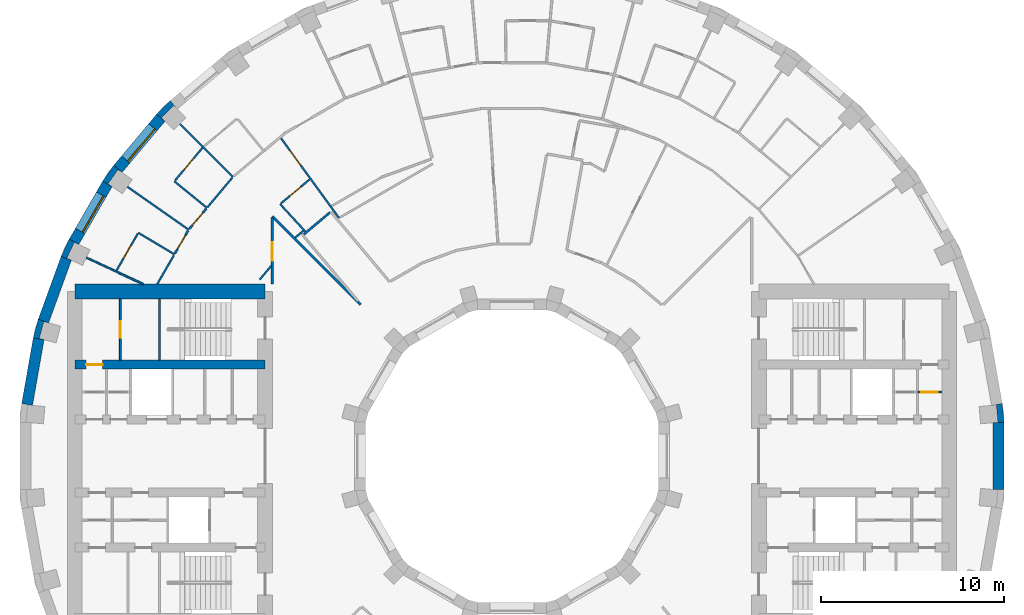
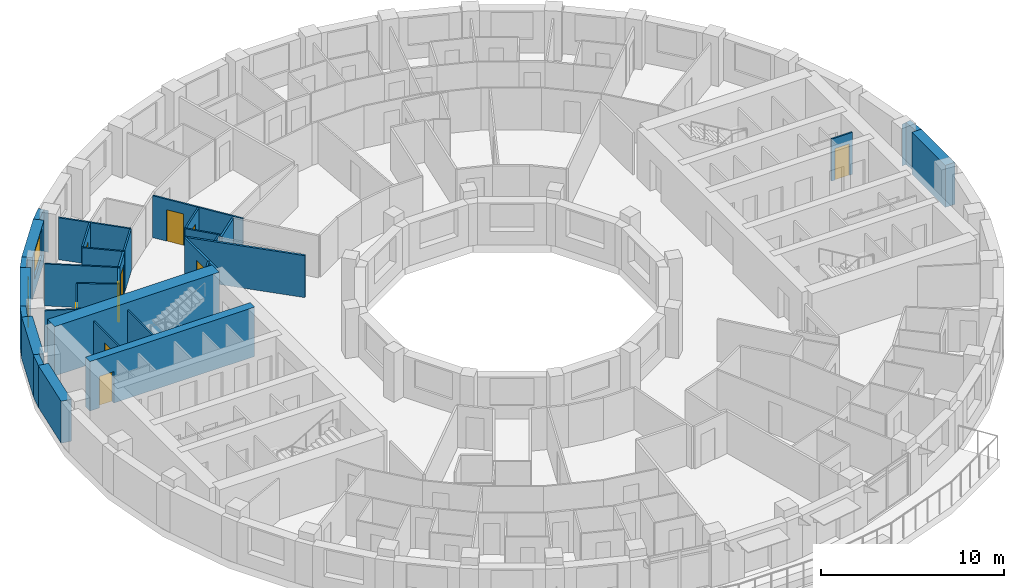
# One storey, part 11 of 16: 34 walls, 10 doors, 2 windows, 12 openings.
"""IFC4 building model written with IfcOpenShell, lengths in metres."""

import ifcopenshell
import ifcopenshell.guid

model = None  # the IFC model being written
_history = None  # IfcOwnerHistory: only IFC2X3 demands one
_inside = {}  # id of a spatial element -> (the spatial element, [elements in it])
_under = {}  # id of a project, library or spatial element -> (it, [spatial elements below it])
_declared = {}  # id of a project -> (the project, [libraries it declares])
_typed = {}  # id of a type object -> (the type object, [elements of that type])
_made_of = {}  # id of a material, layer set ... -> (it, [elements and type objects made of it])


def new_model(schema):
    """Start an empty IFC model of exactly this schema.

    Asked for "IFC4X3", IfcOpenShell would pick the latest addendum, in which some entities
    have other attributes; the version numbers below select the first issue.
    IFC2X3 requires an IfcOwnerHistory on every rooted entity: one is made here for all.
    """
    global model, _history
    if schema == "IFC4X3":
        model = ifcopenshell.file(schema_version=(4, 3, 0, 0))
    else:
        model = ifcopenshell.file(schema=schema)
    _inside.clear()
    _under.clear()
    _declared.clear()
    _typed.clear()
    _made_of.clear()
    _history = None
    if model.schema == "IFC2X3":
        org = make("IfcOrganization", Name="unknown")
        user = make(
            "IfcPersonAndOrganization",
            ThePerson=make("IfcPerson", FamilyName="unknown"),
            TheOrganization=org,
        )
        app = make(
            "IfcApplication",
            ApplicationDeveloper=org,
            Version="unknown",
            ApplicationFullName="unknown",
            ApplicationIdentifier="unknown",
        )
        _history = make(
            "IfcOwnerHistory",
            OwningUser=user,
            OwningApplication=app,
            ChangeAction="ADDED",
            CreationDate=0,
        )
    return model


def make(cls, **values):
    """One entity of the class cls with the attributes given. An attribute that is None is left unset."""
    return model.create_entity(
        cls, **{name: value for name, value in values.items() if value is not None}
    )


def rooted(cls, **values):
    """An entity with a GlobalId (a new one), such as an element, a storey or a relation."""
    return make(cls, GlobalId=ifcopenshell.guid.new(), OwnerHistory=_history, **values)


def si_unit(unit_type, name, prefix=None):
    """IfcSIUnit, for example si_unit("LENGTHUNIT", "METRE", prefix="MILLI")."""
    return make("IfcSIUnit", UnitType=unit_type, Prefix=prefix, Name=name)


def assignment(units):
    """IfcUnitAssignment: the units of a project."""
    return None if units is None else make("IfcUnitAssignment", Units=units)


def point(xyz):
    """IfcCartesianPoint."""
    return None if xyz is None else make("IfcCartesianPoint", Coordinates=xyz)


def direction(xyz):
    """IfcDirection."""
    return None if xyz is None else make("IfcDirection", DirectionRatios=xyz)


def frame(location, z_axis=None, x_axis=None):
    """IfcAxis2Placement3D, a coordinate frame: its origin and axes. An axis left out is left unset."""
    return make(
        "IfcAxis2Placement3D",
        Location=point(location),
        Axis=direction(z_axis),
        RefDirection=direction(x_axis),
    )


def frame_2d(location, x_axis=None):
    """IfcAxis2Placement2D, a coordinate frame in the plane: its origin and x axis."""
    return make(
        "IfcAxis2Placement2D", Location=point(location), RefDirection=direction(x_axis)
    )


def origin():
    """The frame at (0, 0, 0) with its axes left unset."""
    return frame((0.0, 0.0, 0.0))


def place(relative_to, where):
    """IfcLocalPlacement: puts the frame where relative to a parent placement (None: the world)."""
    return make(
        "IfcLocalPlacement", PlacementRelTo=relative_to, RelativePlacement=where
    )


def context(
    kind, dimensions, precision=None, world=None, true_north=None, identifier=None
):
    """IfcGeometricRepresentationContext, for example the 3D "Model" context."""
    return make(
        "IfcGeometricRepresentationContext",
        ContextIdentifier=identifier,
        ContextType=kind,
        CoordinateSpaceDimension=dimensions,
        Precision=precision,
        WorldCoordinateSystem=world,
        TrueNorth=true_north,
    )


def subcontext(parent, identifier, kind, view, scale=None):
    """IfcGeometricRepresentationSubContext, for example "Body" below "Model"."""
    return make(
        "IfcGeometricRepresentationSubContext",
        ContextIdentifier=identifier,
        ContextType=kind,
        ParentContext=parent,
        TargetScale=scale,
        TargetView=view,
    )


def project(units=None, contexts=None):
    """IfcProject with its units and contexts."""
    return rooted(
        "IfcProject",
        Name="project",
        RepresentationContexts=contexts,
        UnitsInContext=assignment(units),
    )


def spatial(cls, under=None, at=None, **own):
    """A site, building, storey or space (cls), placed at a placement, below another one or the project."""
    s = rooted(cls, ObjectPlacement=at, **own)
    if under is not None:
        _under.setdefault(under.id(), (under, []))[1].append(s)
    return s


def polyline(points):
    """IfcPolyline through the points."""
    return make("IfcPolyline", Points=[point(p) for p in points])


def profile(cls, at=None, kind="AREA", **sizes):
    """A parametric profile (cls). Its sizes go by their IFC names, for example OverallWidth=200.0."""
    return make(cls, ProfileType=kind, Position=at, **sizes)


def rectangle(**sizes):
    """IfcRectangleProfileDef."""
    return profile("IfcRectangleProfileDef", **sizes)


def outline(outer, holes=None, kind="AREA"):
    """IfcArbitraryClosedProfileDef: a profile drawn as a closed curve; with holes, ...WithVoids."""
    if holes is None:
        return make("IfcArbitraryClosedProfileDef", ProfileType=kind, OuterCurve=outer)
    return make(
        "IfcArbitraryProfileDefWithVoids",
        ProfileType=kind,
        OuterCurve=outer,
        InnerCurves=holes,
    )


def extrude(swept, where, along, depth):
    """IfcExtrudedAreaSolid: the profile swept, set in the frame where, extruded along a direction by depth."""
    return make(
        "IfcExtrudedAreaSolid",
        SweptArea=swept,
        Position=where,
        ExtrudedDirection=direction(along),
        Depth=depth,
    )


def shape(context_of_items, identifier, shape_type, items):
    """IfcShapeRepresentation: the items that make up one representation, for example the "Body"."""
    return make(
        "IfcShapeRepresentation",
        ContextOfItems=context_of_items,
        RepresentationIdentifier=identifier,
        RepresentationType=shape_type,
        Items=items,
    )


def material(Name=None, Category=None):
    """IfcMaterial."""
    return make("IfcMaterial", Name=Name, Category=Category)


def layer(
    of_material, thickness, ventilated=None, Name=None, Category=None, Priority=None
):
    """IfcMaterialLayer: one layer of a wall or slab, of a material (None: an air gap)."""
    return make(
        "IfcMaterialLayer",
        Material=of_material,
        LayerThickness=thickness,
        IsVentilated=ventilated,
        Name=Name,
        Category=Category,
        Priority=Priority,
    )


def layer_set(layers, Name=None):
    """IfcMaterialLayerSet."""
    return make("IfcMaterialLayerSet", MaterialLayers=layers, LayerSetName=Name)


def made_of(thing, what):
    """Note that an element or type object is made of a material, layer set ...; save() writes the relation."""
    if what is not None:
        _made_of.setdefault(what.id(), (what, []))[1].append(thing)
    return thing


def type_object(cls, material=None, **own):
    """A type object (cls), such as IfcWallType, which elements share."""
    return made_of(rooted(cls, **own), material)


def element(
    cls,
    number,
    at=None,
    inside=None,
    cuts=None,
    type_object=None,
    material=None,
    context=None,
    identifier="Body",
    shape_type=None,
    held_by="IfcProductDefinitionShape",
    body=None,
    shapes=None,
    **own,
):
    """One element of the class cls, such as IfcWall. Its Tag is "e" and its number.

    at: its placement. inside: the storey or other place that contains it. cuts: it is an
    opening in that element (IfcRelVoidsElement). A single representation is given by context,
    identifier, shape_type and body (its items); several are given by shapes. held_by: the class
    of the entity that holds the representations. save() writes the other relations.
    """
    e = rooted(cls, Tag="e%d" % number, ObjectPlacement=at, **own)
    if body is not None:
        shapes = [shape(context, identifier, shape_type, body)]
    if shapes is not None:
        e.Representation = make(held_by, Representations=shapes)
    if inside is not None:
        _inside.setdefault(inside.id(), (inside, []))[1].append(e)
    if cuts is not None:
        rooted(
            "IfcRelVoidsElement", RelatingBuildingElement=cuts, RelatedOpeningElement=e
        )
    if type_object is not None:
        _typed.setdefault(type_object.id(), (type_object, []))[1].append(e)
    return made_of(e, material)


def fill(opening, filler):
    """IfcRelFillsElement: the door or window that sits in an opening."""
    return rooted(
        "IfcRelFillsElement",
        RelatingOpeningElement=opening,
        RelatedBuildingElement=filler,
    )


def aggregate(whole, parts):
    """IfcRelAggregates: a whole, such as a stair, and the parts it consists of."""
    return rooted("IfcRelAggregates", RelatingObject=whole, RelatedObjects=parts)


def save(model, path):
    """Write the relations noted so far, then the file.

    IfcRelAggregates (storeys below a building ...), IfcRelContainedInSpatialStructure (elements
    in a storey), IfcRelDefinesByType, IfcRelAssociatesMaterial and IfcRelDeclares: one each for
    every whole, place, type object, material and project.
    """
    for whole, parts in _under.values():
        aggregate(whole, parts)
    for where, things in _inside.values():
        rooted(
            "IfcRelContainedInSpatialStructure",
            RelatedElements=things,
            RelatingStructure=where,
        )
    for kind, things in _typed.values():
        rooted("IfcRelDefinesByType", RelatedObjects=things, RelatingType=kind)
    for what, things in _made_of.values():
        rooted("IfcRelAssociatesMaterial", RelatedObjects=things, RelatingMaterial=what)
    for by, libraries in _declared.values():
        rooted("IfcRelDeclares", RelatingContext=by, RelatedDefinitions=libraries)
    model.write(path)


model = new_model("IFC4")

# Units and contexts
model_context = context("Model", 3, precision=1e-05, world=origin(), true_north=direction((0.0, 1.0)))
body_context = subcontext(model_context, "Body", "Model", "MODEL_VIEW")
ifc_project = project(units=[si_unit("LENGTHUNIT", "METRE"), si_unit("AREAUNIT", "SQUARE_METRE"), si_unit("VOLUMEUNIT", "CUBIC_METRE"), si_unit("PLANEANGLEUNIT", "RADIAN"), si_unit("MASSUNIT", "GRAM", prefix="KILO")], contexts=[model_context])

# Site, building, storey
site_placement = place(None, origin())
site = spatial("IfcSite", under=ifc_project, at=site_placement, CompositionType="ELEMENT")
building_placement = place(site_placement, origin())
building = spatial("IfcBuilding", under=site, at=building_placement, Name="Saqina Gate Tower", CompositionType="ELEMENT")
storey_placement = place(building_placement, frame((0.0, 0.0, 144.699951171875)))
storey = spatial("IfcBuildingStorey", under=building, at=storey_placement, Name="L41", CompositionType="ELEMENT", Elevation=144.699951171875)

# Walls
ifc_material_1 = material(Name="Brick masonry (buff)", Category="masonry")
wall_type_1 = type_object("IfcWallType", Name="BRICK PIER COPING BUFF", PredefinedType="SOLIDWALL", material=ifc_material_1)
wall_1_placement = place(storey_placement, origin())
element("IfcWall", 1, at=wall_1_placement, inside=storey, type_object=wall_type_1, Name="Pier cap L41 column 1", PredefinedType="SOLIDWALL", context=body_context, shape_type="SweptSolid", body=[
    extrude(outline(polyline([(26.805419921875, 2.87451171875), (26.214599609375, 2.770263671875), (26.482421875, 2.793701171875), (26.565185546875, 1.847412109375), (26.29736328125, 1.823974609375), (26.897216796875, 1.823974609375), (26.805419921875, 2.87451171875)])), origin(), (0.0, 0.0, 1.0), 2.800048828125),
])
wall_2_placement = place(storey_placement, origin())
element("IfcWall", 2, at=wall_2_placement, inside=storey, type_object=wall_type_1, Name="Pier cap L41 column 14", PredefinedType="SOLIDWALL", context=body_context, shape_type="SweptSolid", body=[
    extrude(outline(polyline([(-18.686279296875, 19.43212890625), (-19.43212890625, 18.686279296875), (-18.972412109375, 18.30078125), (-19.16259765625, 18.49072265625), (-18.49072265625, 19.16259765625), (-18.30078125, 18.972412109375), (-18.686279296875, 19.43212890625)])), origin(), (0.0, 0.0, 1.0), 2.800048828125),
])
wall_3_placement = place(storey_placement, origin())
element("IfcWall", 3, at=wall_3_placement, inside=storey, type_object=wall_type_1, Name="Pier cap L41 column 15", PredefinedType="SOLIDWALL", context=body_context, shape_type="SweptSolid", body=[
    extrude(outline(polyline([(-22.3818359375, 15.0283203125), (-21.862060546875, 14.728271484375), (-22.08251953125, 14.88232421875), (-21.53759765625, 15.66064453125), (-21.317138671875, 15.50634765625), (-21.77685546875, 15.89208984375), (-22.3818359375, 15.0283203125)])), origin(), (0.0, 0.0, 1.0), 2.800048828125),
])
wall_4_placement = place(storey_placement, origin())
element("IfcWall", 4, at=wall_4_placement, inside=storey, type_object=wall_type_1, Name="Pier cap L41 column 16", PredefinedType="SOLIDWALL", context=body_context, shape_type="SweptSolid", body=[
    extrude(outline(polyline([(-24.6513671875, 10.913330078125), (-24.08740234375, 10.7080078125), (-24.331298828125, 10.82177734375), (-23.9296875, 11.6826171875), (-23.68603515625, 11.569091796875), (-24.205810546875, 11.869140625), (-24.6513671875, 10.913330078125)])), origin(), (0.0, 0.0, 1.0), 2.800048828125),
])
wall_5_placement = place(storey_placement, origin())
element("IfcWall", 5, at=wall_5_placement, inside=storey, type_object=wall_type_1, Name="Pier cap L41 column 17", PredefinedType="SOLIDWALL", context=body_context, shape_type="SweptSolid", body=[
    extrude(outline(polyline([(-25.89892578125, 7.485595703125), (-26.171875, 6.466796875), (-25.5810546875, 6.36279296875), (-25.8408203125, 6.43212890625), (-25.5947265625, 7.349853515625), (-25.335205078125, 7.2802734375), (-25.89892578125, 7.485595703125)])), origin(), (0.0, 0.0, 1.0), 2.800048828125),
])

# Wall, opening, door
ifc_material_2 = material(Name="Gypsum board on steel studs", Category="steel")
ifc_layer_1 = layer(ifc_material_2, 0.10009765625)
ifc_layer_set_1 = layer_set([ifc_layer_1], Name="CORE PARTITION")
wall_type_2 = type_object("IfcWallType", Name="CORE PARTITION", PredefinedType="PARTITIONING", material=ifc_layer_set_1)
wall_6_placement = place(storey_placement, frame((22.169921875, 3.5, 0.0), z_axis=(0.0, 0.0, 1.0), x_axis=(1.0, 0.0, 0.0)))
wall_6 = element("IfcWall", 6, at=wall_6_placement, inside=storey, type_object=wall_type_2, Name="L41-CP-E10", PredefinedType="PARTITIONING", context=body_context, shape_type="SweptSolid", body=[
    extrude(rectangle(XDim=1.330078125, YDim=0.10009765625, at=frame_2d((0.6650390625, 0.0))), origin(), (0.0, 0.0, 1.0), 2.800048828125),
])
opening_1_placement = place(wall_6_placement, frame((0.215087890625, 0.0, 0.0)))
opening_1 = element("IfcOpeningElement", 7, at=opening_1_placement, cuts=wall_6, Name="Opening G12-D98", PredefinedType="OPENING", context=body_context, shape_type="SweptSolid", body=[
    extrude(rectangle(XDim=0.89990234375, YDim=2.10009765625, at=frame_2d((0.449951171875, 1.050048828125))), frame((0.0, 0.06201171875, 0.0), z_axis=(0.0, -1.0, 0.0), x_axis=(1.0, 0.0, 0.0)), (0.0, 0.0, 1.0), 0.1240234375),
])
ifc_material_3 = material(Name="Steel-framed fire door leaf, EI 60", Category="steel")
door_type_1 = type_object("IfcDoorType", Name="SERVICE ROOM DOOR 900", OperationType="SINGLE_SWING_LEFT", PredefinedType="DOOR", material=ifc_material_3)
door_1_placement = place(opening_1_placement, origin())
door_1 = element("IfcDoor", 8, at=door_1_placement, inside=storey, type_object=door_type_1, Name="L41-CD-E09", OperationType="SINGLE_SWING_RIGHT", OverallHeight=2.10009765625, OverallWidth=0.89990234375, PredefinedType="DOOR", context=body_context, shape_type="SweptSolid", body=[
    extrude(rectangle(XDim=0.89990234375, YDim=2.10009765625, at=frame_2d((0.449951171875, 1.050048828125))), frame((0.0, 0.02490234375, 0.0), z_axis=(0.0, -1.0, 0.0), x_axis=(1.0, 0.0, 0.0)), (0.0, 0.0, 1.0), 0.050048828125),
])
fill(opening_1, door_1)

wall_7_placement = place(storey_placement, frame((-21.409912109375, 5.25, 0.0), z_axis=(0.0, 0.0, 1.0), x_axis=(0.0, 1.0, 0.0)))
wall_7 = element("IfcWall", 9, at=wall_7_placement, inside=storey, type_object=wall_type_2, Name="L41-CP-W14", PredefinedType="PARTITIONING", context=body_context, shape_type="SweptSolid", body=[
    extrude(rectangle(XDim=3.35009765625, YDim=0.10009765625, at=frame_2d((1.675048828125, 0.0))), origin(), (0.0, 0.0, 1.0), 2.800048828125),
])
opening_2_placement = place(wall_7_placement, frame((1.22509765625, 0.0, 0.0)))
opening_2 = element("IfcOpeningElement", 10, at=opening_2_placement, cuts=wall_7, Name="Opening G12-D120", PredefinedType="OPENING", context=body_context, shape_type="SweptSolid", body=[
    extrude(rectangle(XDim=0.89990234375, YDim=2.10009765625, at=frame_2d((0.449951171875, 1.050048828125))), frame((0.0, 0.06201171875, 0.0), z_axis=(0.0, -1.0, 0.0), x_axis=(1.0, 0.0, 0.0)), (0.0, 0.0, 1.0), 0.1240234375),
])
door_2_placement = place(opening_2_placement, origin())
door_2 = element("IfcDoor", 11, at=door_2_placement, inside=storey, type_object=door_type_1, Name="L41-CD-W31", OperationType="SINGLE_SWING_RIGHT", OverallHeight=2.10009765625, OverallWidth=0.89990234375, PredefinedType="DOOR", context=body_context, shape_type="SweptSolid", body=[
    extrude(rectangle(XDim=0.89990234375, YDim=2.10009765625, at=frame_2d((0.449951171875, 1.050048828125))), frame((0.0, 0.02490234375, 0.0), z_axis=(0.0, -1.0, 0.0), x_axis=(1.0, 0.0, 0.0)), (0.0, 0.0, 1.0), 0.050048828125),
])
fill(opening_2, door_2)

# Wall, opening, window
ifc_material_4 = material(Name="Brick masonry (buff)", Category="masonry")
ifc_layer_2 = layer(ifc_material_4, 0.60009765625)
ifc_layer_set_2 = layer_set([ifc_layer_2], Name="FW-BRICK-BUFF")
wall_type_3 = type_object("IfcWallType", Name="FW-BRICK-BUFF", PredefinedType="SOLIDWALL", material=ifc_layer_set_2)
wall_8_placement = place(storey_placement, frame((-19.202392578125, 18.49365234375, 0.0), z_axis=(0.0, 0.0, 1.0), x_axis=(-0.642774476932, -0.766055462616, 0.0)))
wall_8 = element("IfcWall", 12, at=wall_8_placement, inside=storey, type_object=wall_type_3, Name="Facade wall L41 facet 14", PredefinedType="SOLIDWALL", context=body_context, shape_type="SweptSolid", body=[
    extrude(rectangle(XDim=3.647705078125, YDim=0.60009765625, at=frame_2d((1.82373046875, 0.0))), origin(), (0.0, 0.0, 1.0), 2.800048828125),
])
opening_3_placement = place(wall_8_placement, frame((0.673828125, 0.0, 0.89990234375)))
opening_3 = element("IfcOpeningElement", 13, at=opening_3_placement, cuts=wall_8, Name="Opening G12-W12", PredefinedType="OPENING", context=body_context, shape_type="SweptSolid", body=[
    extrude(rectangle(XDim=2.300048828125, YDim=1.800048828125, at=frame_2d((1.14990234375, 0.89990234375))), frame((0.0, 0.31201171875, 0.0), z_axis=(0.0, -1.0, 0.0), x_axis=(1.0, 0.0, 0.0)), (0.0, 0.0, 1.0), 0.6240234375),
])
ifc_material_5 = material(Name="Aluminium glazing", Category="aluminium")
window_type = type_object("IfcWindowType", Name="WN-B", PartitioningType="SINGLE_PANEL", PredefinedType="WINDOW", material=ifc_material_5)
window_1_placement = place(opening_3_placement, origin())
window_1 = element("IfcWindow", 14, at=window_1_placement, inside=storey, type_object=window_type, Name="Window L41 facet 14", OverallHeight=1.800048828125, OverallWidth=2.300048828125, PartitioningType="SINGLE_PANEL", PredefinedType="WINDOW", context=body_context, shape_type="SweptSolid", body=[
    extrude(rectangle(XDim=2.300048828125, YDim=1.800048828125, at=frame_2d((1.14990234375, 0.89990234375))), frame((0.0, 0.179931640625, 0.0), z_axis=(0.0, -1.0, 0.0), x_axis=(1.0, 0.0, 0.0)), (0.0, 0.0, 1.0), 0.06005859375),
])
fill(opening_3, window_1)

wall_9_placement = place(storey_placement, frame((-22.1220703125, 14.878173828125, 0.0), z_axis=(0.0, 0.0, 1.0), x_axis=(-0.499954196102, -0.866051847062, 0.0)))
wall_9 = element("IfcWall", 15, at=wall_9_placement, inside=storey, type_object=wall_type_3, Name="Facade wall L41 facet 15", PredefinedType="SOLIDWALL", context=body_context, shape_type="SweptSolid", body=[
    extrude(rectangle(XDim=3.647705078125, YDim=0.60009765625, at=frame_2d((1.82373046875, 0.0))), origin(), (0.0, 0.0, 1.0), 2.800048828125),
])
opening_4_placement = place(wall_9_placement, frame((0.673828125, 0.0, 0.89990234375)))
opening_4 = element("IfcOpeningElement", 16, at=opening_4_placement, cuts=wall_9, Name="Opening G12-W13", PredefinedType="OPENING", context=body_context, shape_type="SweptSolid", body=[
    extrude(rectangle(XDim=2.300048828125, YDim=1.800048828125, at=frame_2d((1.14990234375, 0.89990234375))), frame((0.0, 0.31201171875, 0.0), z_axis=(0.0, -1.0, 0.0), x_axis=(1.0, 0.0, 0.0)), (0.0, 0.0, 1.0), 0.6240234375),
])
window_2_placement = place(opening_4_placement, origin())
window_2 = element("IfcWindow", 17, at=window_2_placement, inside=storey, type_object=window_type, Name="Window L41 facet 15", OverallHeight=1.800048828125, OverallWidth=2.300048828125, PartitioningType="SINGLE_PANEL", PredefinedType="WINDOW", context=body_context, shape_type="SweptSolid", body=[
    extrude(rectangle(XDim=2.300048828125, YDim=1.800048828125, at=frame_2d((1.14990234375, 0.89990234375))), frame((0.0, 0.179931640625, 0.0), z_axis=(0.0, -1.0, 0.0), x_axis=(1.0, 0.0, 0.0)), (0.0, 0.0, 1.0), 0.06005859375),
])
fill(opening_4, window_2)

# Walls
ifc_material_6 = material(Name="Glazed ceramic tile", Category="ceramic")
ifc_layer_3 = layer(ifc_material_6, 0.60009765625)
ifc_layer_set_3 = layer_set([ifc_layer_3], Name="FW-TILE")
wall_type_4 = type_object("IfcWallType", Name="FW-TILE", PredefinedType="SOLIDWALL", material=ifc_layer_set_3)
for number, where, z_axis, x_axis, name in (
    (18, (-24.369384765625, 10.810791015625, 0.0), (0.0, 0.0, 1.0), (-0.341990236633, -0.939703505393, 0.0), "Facade wall L41 facet 16"),
    (19, (26.59716796875, -1.823974609375, 0.0), (0.0, 0.0, 1.0), (0.0, 1.0, 0.0), "Facade wall L41 facet 36"),
):
    element("IfcWall", number, at=place(storey_placement, frame(where, z_axis=z_axis, x_axis=x_axis)), inside=storey, type_object=wall_type_4, Name=name, PredefinedType="SOLIDWALL", context=body_context, shape_type="SweptSolid", body=[
        extrude(rectangle(XDim=3.64794921875, YDim=0.60009765625, at=frame_2d((1.823974609375, 0.0))), origin(), (0.0, 0.0, 1.0), 2.800048828125),
    ])
ifc_material_7 = material(Name="Glazed ceramic tile (dark blue)", Category="ceramic")
ifc_layer_4 = layer(ifc_material_7, 0.60009765625)
ifc_layer_set_4 = layer_set([ifc_layer_4], Name="FW-TILE-CB")
wall_type_5 = type_object("IfcWallType", Name="FW-TILE-CB", PredefinedType="SOLIDWALL", material=ifc_layer_set_4)
wall_10_placement = place(storey_placement, frame((-25.87646484375, 6.414794921875, 0.0), z_axis=(0.0, 0.0, 1.0), x_axis=(-0.173670796382, -0.984803764455, 0.0)))
element("IfcWall", 20, at=wall_10_placement, inside=storey, type_object=wall_type_5, Name="Facade wall L41 facet 17", PredefinedType="SOLIDWALL", context=body_context, shape_type="SweptSolid", body=[
    extrude(rectangle(XDim=3.64794921875, YDim=0.60009765625, at=frame_2d((1.823974609375, 0.0))), origin(), (0.0, 0.0, 1.0), 2.800048828125),
])

# Wall, opening, door
ifc_material_8 = material(Name="Gypsum board on steel studs, 100 mm", Category="steel")
ifc_layer_5 = layer(ifc_material_8, 0.10009765625)
ifc_layer_set_5 = layer_set([ifc_layer_5], Name="PARTITION 100")
wall_type_6 = type_object("IfcWallType", Name="PARTITION 100", PredefinedType="PARTITIONING", material=ifc_layer_set_5)
wall_11_placement = place(storey_placement, frame((-12.629150390625, 17.3818359375, 0.0), z_axis=(0.0, 0.0, 1.0), x_axis=(0.587934886014, -0.808908257967, 0.0)))
wall_11 = element("IfcWall", 21, at=wall_11_placement, inside=storey, type_object=wall_type_6, Name="PARTITION PW3-14", PredefinedType="PARTITIONING", context=body_context, shape_type="SweptSolid", body=[
    extrude(rectangle(XDim=5.39501953125, YDim=0.10009765625, at=frame_2d((2.697509765625, 0.0))), origin(), (0.0, 0.0, 1.0), 2.800048828125),
])
opening_5_placement = place(wall_11_placement, frame((0.839599609375, 0.0, 0.0)))
opening_5 = element("IfcOpeningElement", 22, at=opening_5_placement, cuts=wall_11, Name="Opening G12-D24", PredefinedType="OPENING", context=body_context, shape_type="SweptSolid", body=[
    extrude(rectangle(XDim=1.0, YDim=2.10009765625, at=frame_2d((0.5, 1.050048828125))), frame((0.0, 0.06201171875, 0.0), z_axis=(0.0, -1.0, 0.0), x_axis=(1.0, 0.0, 0.0)), (0.0, 0.0, 1.0), 0.1240234375),
])
ifc_material_9 = material(Name="Timber door leaf, 1000 mm", Category="wood")
door_type_2 = type_object("IfcDoorType", Name="DOOR 1000 TIMBER", OperationType="SINGLE_SWING_LEFT", PredefinedType="DOOR", material=ifc_material_9)
door_3_placement = place(opening_5_placement, origin())
door_3 = element("IfcDoor", 23, at=door_3_placement, inside=storey, type_object=door_type_2, Name="DOOR G12-D24", OperationType="SINGLE_SWING_LEFT", OverallHeight=2.10009765625, OverallWidth=1.0, PredefinedType="DOOR", context=body_context, shape_type="SweptSolid", body=[
    extrude(rectangle(XDim=1.0, YDim=2.10009765625, at=frame_2d((0.5, 1.050048828125))), frame((0.0, 0.02490234375, 0.0), z_axis=(0.0, -1.0, 0.0), x_axis=(1.0, 0.0, 0.0)), (0.0, 0.0, 1.0), 0.050048828125),
])
fill(opening_5, door_3)

# Walls
wall_12_placement = place(storey_placement, frame((-12.67529296875, 13.775634765625, 0.0), z_axis=(0.0, 0.0, 1.0), x_axis=(0.676672647076, -0.736284000029, 0.0)))
element("IfcWall", 24, at=wall_12_placement, inside=storey, type_object=wall_type_6, Name="PARTITION PW3-21", PredefinedType="PARTITIONING", context=body_context, shape_type="SweptSolid", body=[
    extrude(rectangle(XDim=2.03955078125, YDim=0.10009765625, at=frame_2d((1.019775390625, 0.0))), origin(), (0.0, 0.0, 1.0), 2.800048828125),
])
wall_13_placement = place(storey_placement, frame((-18.14794921875, 18.14794921875, 0.0), z_axis=(0.0, 0.0, 1.0), x_axis=(0.707106781187, -0.707106781187, 0.0)))
element("IfcWall", 25, at=wall_13_placement, inside=storey, type_object=wall_type_6, Name="PARTITION PW3-23", PredefinedType="PARTITIONING", context=body_context, shape_type="SweptSolid", body=[
    extrude(rectangle(XDim=4.08544921875, YDim=0.10009765625, at=frame_2d((2.042724609375, 0.0))), origin(), (0.0, 0.0, 1.0), 2.800048828125),
])
wall_14_placement = place(storey_placement, frame((-18.4599609375, 15.02197265625, 0.0), z_axis=(0.0, 0.0, 1.0), x_axis=(0.775591007639, -0.6312357633, 0.0)))
element("IfcWall", 26, at=wall_14_placement, inside=storey, type_object=wall_type_6, Name="PARTITION PW3-32", PredefinedType="PARTITIONING", context=body_context, shape_type="SweptSolid", body=[
    extrude(rectangle(XDim=2.300048828125, YDim=0.10009765625, at=frame_2d((1.14990234375, 0.0))), origin(), (0.0, 0.0, 1.0), 2.800048828125),
])
wall_15_placement = place(storey_placement, frame((-21.023681640625, 14.720703125, 0.0), z_axis=(0.0, 0.0, 1.0), x_axis=(0.819108383097, -0.573638785945, 0.0)))
element("IfcWall", 27, at=wall_15_placement, inside=storey, type_object=wall_type_6, Name="PARTITION PW3-33", PredefinedType="PARTITIONING", context=body_context, shape_type="SweptSolid", body=[
    extrude(rectangle(XDim=4.085693359375, YDim=0.10009765625, at=frame_2d((2.04296875, 0.0))), origin(), (0.0, 0.0, 1.0), 2.800048828125),
])
wall_16_placement = place(storey_placement, frame((-20.429931640625, 12.208984375, 0.0), z_axis=(0.0, 0.0, 1.0), x_axis=(0.858446574718, -0.512902991174, 0.0)))
element("IfcWall", 28, at=wall_16_placement, inside=storey, type_object=wall_type_6, Name="PARTITION PW3-35", PredefinedType="PARTITIONING", context=body_context, shape_type="SweptSolid", body=[
    extrude(rectangle(XDim=2.300537109375, YDim=0.10009765625, at=frame_2d((1.150390625, 0.0))), origin(), (0.0, 0.0, 1.0), 2.800048828125),
])
wall_17_placement = place(storey_placement, frame((-23.260009765625, 10.84716796875, 0.0), z_axis=(0.0, 0.0, 1.0), x_axis=(0.906223222272, -0.422799564114, 0.0)))
element("IfcWall", 29, at=wall_17_placement, inside=storey, type_object=wall_type_6, Name="PARTITION PW3-45", PredefinedType="PARTITIONING", context=body_context, shape_type="SweptSolid", body=[
    extrude(rectangle(XDim=3.423095703125, YDim=0.10009765625, at=frame_2d((1.71142578125, 0.0))), origin(), (0.0, 0.0, 1.0), 2.800048828125),
])
wall_18_placement = place(storey_placement, frame((-11.853515625, 11.94140625, 0.0), z_axis=(0.0, 0.0, 1.0), x_axis=(0.765622887771, 0.643289665486, 0.0)))
element("IfcWall", 30, at=wall_18_placement, inside=storey, type_object=wall_type_6, Name="PARTITION PW3-83", PredefinedType="PARTITIONING", context=body_context, shape_type="SweptSolid", body=[
    extrude(rectangle(XDim=0.586669921875, YDim=0.10009765625, at=frame_2d((0.29345703125, 0.0))), origin(), (0.0, 0.0, 1.0), 2.800048828125),
])

# Wall, opening, door
wall_19_placement = place(storey_placement, frame((-12.63671875, 13.807861328125, 0.0), z_axis=(0.0, 0.0, 1.0), x_axis=(0.766269322056, 0.64251951416, 0.0)))
wall_19 = element("IfcWall", 31, at=wall_19_placement, inside=storey, type_object=wall_type_6, Name="PARTITION PW3-84", PredefinedType="PARTITIONING", context=body_context, shape_type="SweptSolid", body=[
    extrude(rectangle(XDim=2.0439453125, YDim=0.10009765625, at=frame_2d((1.02197265625, 0.0))), origin(), (0.0, 0.0, 1.0), 2.800048828125),
])
opening_6_placement = place(wall_19_placement, frame((0.6220703125, 0.0, 0.0)))
opening_6 = element("IfcOpeningElement", 32, at=opening_6_placement, cuts=wall_19, Name="Opening G12-D25", PredefinedType="OPENING", context=body_context, shape_type="SweptSolid", body=[
    extrude(rectangle(XDim=0.800048828125, YDim=2.10009765625, at=frame_2d((0.39990234375, 1.050048828125))), frame((0.0, 0.06201171875, 0.0), z_axis=(0.0, -1.0, 0.0), x_axis=(1.0, 0.0, 0.0)), (0.0, 0.0, 1.0), 0.1240234375),
])
ifc_material_10 = material(Name="Timber door leaf, 800 mm", Category="wood")
door_type_3 = type_object("IfcDoorType", Name="DOOR 800 TIMBER", OperationType="SINGLE_SWING_LEFT", PredefinedType="DOOR", material=ifc_material_10)
door_4_placement = place(opening_6_placement, origin())
door_4 = element("IfcDoor", 33, at=door_4_placement, inside=storey, type_object=door_type_3, Name="DOOR G12-D25", OperationType="SINGLE_SWING_RIGHT", OverallHeight=2.10009765625, OverallWidth=0.800048828125, PredefinedType="DOOR", context=body_context, shape_type="SweptSolid", body=[
    extrude(rectangle(XDim=0.800048828125, YDim=2.10009765625, at=frame_2d((0.39990234375, 1.050048828125))), frame((0.0, 0.02490234375, 0.0), z_axis=(0.0, -1.0, 0.0), x_axis=(1.0, 0.0, 0.0)), (0.0, 0.0, 1.0), 0.050048828125),
])
fill(opening_6, door_4)

# Walls
wall_20_placement = place(storey_placement, frame((-13.7880859375, 9.654052734375, 0.0), z_axis=(0.0, 0.0, 1.0), x_axis=(0.64289662775, 0.765952952881, 0.0)))
element("IfcWall", 34, at=wall_20_placement, inside=storey, type_object=wall_type_6, Name="PARTITION PW3-93", PredefinedType="PARTITIONING", context=body_context, shape_type="SweptSolid", body=[
    extrude(rectangle(XDim=1.0078125, YDim=0.10009765625, at=frame_2d((0.50390625, 0.0))), origin(), (0.0, 0.0, 1.0), 2.800048828125),
])
wall_21_placement = place(storey_placement, frame((-16.643798828125, 13.6083984375, 0.0), z_axis=(0.0, 0.0, 1.0), x_axis=(0.642715569181, 0.766104886508, 0.0)))
element("IfcWall", 35, at=wall_21_placement, inside=storey, type_object=wall_type_6, Name="PARTITION PW3-94", PredefinedType="PARTITIONING", context=body_context, shape_type="SweptSolid", body=[
    extrude(rectangle(XDim=2.103271484375, YDim=0.10009765625, at=frame_2d((1.0517578125, 0.0))), origin(), (0.0, 0.0, 1.0), 2.800048828125),
])

# Wall, opening, door
wall_22_placement = place(storey_placement, frame((-18.427734375, 15.060302734375, 0.0), z_axis=(0.0, 0.0, 1.0), x_axis=(0.642930267735, 0.765924716163, 0.0)))
wall_22 = element("IfcWall", 36, at=wall_22_placement, inside=storey, type_object=wall_type_6, Name="PARTITION PW3-95", PredefinedType="PARTITIONING", context=body_context, shape_type="SweptSolid", body=[
    extrude(rectangle(XDim=2.34033203125, YDim=0.10009765625, at=frame_2d((1.170166015625, 0.0))), origin(), (0.0, 0.0, 1.0), 2.800048828125),
])
opening_7_placement = place(wall_22_placement, frame((0.77001953125, 0.0, 0.0)))
opening_7 = element("IfcOpeningElement", 37, at=opening_7_placement, cuts=wall_22, Name="Opening G12-D27", PredefinedType="OPENING", context=body_context, shape_type="SweptSolid", body=[
    extrude(rectangle(XDim=0.800048828125, YDim=2.10009765625, at=frame_2d((0.39990234375, 1.050048828125))), frame((0.0, 0.06201171875, 0.0), z_axis=(0.0, -1.0, 0.0), x_axis=(1.0, 0.0, 0.0)), (0.0, 0.0, 1.0), 0.1240234375),
])
door_5_placement = place(opening_7_placement, origin())
door_5 = element("IfcDoor", 38, at=door_5_placement, inside=storey, type_object=door_type_3, Name="DOOR G12-D27", OperationType="SINGLE_SWING_LEFT", OverallHeight=2.10009765625, OverallWidth=0.800048828125, PredefinedType="DOOR", context=body_context, shape_type="SweptSolid", body=[
    extrude(rectangle(XDim=0.800048828125, YDim=2.10009765625, at=frame_2d((0.39990234375, 1.050048828125))), frame((0.0, 0.02490234375, 0.0), z_axis=(0.0, -1.0, 0.0), x_axis=(1.0, 0.0, 0.0)), (0.0, 0.0, 1.0), 0.050048828125),
])
fill(opening_7, door_5)

# Wall
wall_23_placement = place(storey_placement, frame((-19.39599609375, 9.39990234375, 0.0), z_axis=(0.0, 0.0, 1.0), x_axis=(0.500210961829, 0.865903570651, 0.0)))
element("IfcWall", 39, at=wall_23_placement, inside=storey, type_object=wall_type_6, Name="PARTITION PW3-103", PredefinedType="PARTITIONING", context=body_context, shape_type="SweptSolid", body=[
    extrude(rectangle(XDim=1.831298828125, YDim=0.10009765625, at=frame_2d((0.91552734375, 0.0))), origin(), (0.0, 0.0, 1.0), 2.800048828125),
])

# Wall, opening, door
wall_24_placement = place(storey_placement, frame((-21.625, 10.139404296875, 0.0), z_axis=(0.0, 0.0, 1.0), x_axis=(0.499999433879, 0.866025730634, 0.0)))
wall_24 = element("IfcWall", 40, at=wall_24_placement, inside=storey, type_object=wall_type_6, Name="PARTITION PW3-104", PredefinedType="PARTITIONING", context=body_context, shape_type="SweptSolid", body=[
    extrude(rectangle(XDim=2.33984375, YDim=0.10009765625, at=frame_2d((1.169921875, 0.0))), origin(), (0.0, 0.0, 1.0), 2.800048828125),
])
opening_8_placement = place(wall_24_placement, frame((0.77001953125, 0.0, 0.0)))
opening_8 = element("IfcOpeningElement", 41, at=opening_8_placement, cuts=wall_24, Name="Opening G12-D31", PredefinedType="OPENING", context=body_context, shape_type="SweptSolid", body=[
    extrude(rectangle(XDim=0.800048828125, YDim=2.10009765625, at=frame_2d((0.39990234375, 1.050048828125))), frame((0.0, 0.06201171875, 0.0), z_axis=(0.0, -1.0, 0.0), x_axis=(1.0, 0.0, 0.0)), (0.0, 0.0, 1.0), 0.1240234375),
])
door_6_placement = place(opening_8_placement, origin())
door_6 = element("IfcDoor", 42, at=door_6_placement, inside=storey, type_object=door_type_3, Name="DOOR G12-D31", OperationType="SINGLE_SWING_RIGHT", OverallHeight=2.10009765625, OverallWidth=0.800048828125, PredefinedType="DOOR", context=body_context, shape_type="SweptSolid", body=[
    extrude(rectangle(XDim=0.800048828125, YDim=2.10009765625, at=frame_2d((0.39990234375, 1.050048828125))), frame((0.0, 0.02490234375, 0.0), z_axis=(0.0, -1.0, 0.0), x_axis=(1.0, 0.0, 0.0)), (0.0, 0.0, 1.0), 0.050048828125),
])
fill(opening_8, door_6)

# Walls
ifc_material_11 = material(Name="Gypsum board on steel studs, 125 mm, fire rated", Category="steel")
ifc_layer_6 = layer(ifc_material_11, 0.125)
ifc_layer_set_6 = layer_set([ifc_layer_6], Name="PARTITION EI 30 125")
wall_type_7 = type_object("IfcWallType", Name="PARTITION EI 30 125", PredefinedType="PARTITIONING", material=ifc_layer_set_6)
wall_25_placement = place(storey_placement, frame((-13.096923828125, 13.096923828125, 0.0), z_axis=(0.0, 0.0, 1.0), x_axis=(0.707106781187, -0.707106781187, 0.0)))
element("IfcWall", 43, at=wall_25_placement, inside=storey, type_object=wall_type_7, Name="PARTITION PW1-09", PredefinedType="PARTITIONING", context=body_context, shape_type="SweptSolid", body=[
    extrude(rectangle(XDim=6.81494140625, YDim=0.125, at=frame_2d((3.407470703125, 0.0))), origin(), (0.0, 0.0, 1.0), 2.800048828125),
])
wall_26_placement = place(storey_placement, frame((-11.38818359375, 12.1142578125, 0.0), z_axis=(0.0, 0.0, 1.0), x_axis=(0.766199817297, 0.642602396489, 0.0)))
element("IfcWall", 44, at=wall_26_placement, inside=storey, type_object=wall_type_7, Name="PARTITION PW1-46", PredefinedType="PARTITIONING", context=body_context, shape_type="SweptSolid", body=[
    extrude(rectangle(XDim=1.87451171875, YDim=0.125, at=frame_2d((0.937255859375, 0.0))), origin(), (0.0, 0.0, 1.0), 2.800048828125),
])

# Wall, opening, door
wall_27_placement = place(storey_placement, frame((-17.644775390625, 12.415283203125, 0.0), z_axis=(0.0, 0.0, 1.0), x_axis=(0.642669367872, 0.766143644233, 0.0)))
wall_27 = element("IfcWall", 45, at=wall_27_placement, inside=storey, type_object=wall_type_7, Name="PARTITION PW1-52", PredefinedType="PARTITIONING", context=body_context, shape_type="SweptSolid", body=[
    extrude(rectangle(XDim=1.457275390625, YDim=0.125, at=frame_2d((0.728515625, 0.0))), origin(), (0.0, 0.0, 1.0), 2.800048828125),
])
opening_9_placement = place(wall_27_placement, frame((0.27880859375, 0.0, 0.0)))
opening_9 = element("IfcOpeningElement", 46, at=opening_9_placement, cuts=wall_27, Name="Opening G12-D29", PredefinedType="OPENING", context=body_context, shape_type="SweptSolid", body=[
    extrude(rectangle(XDim=0.89990234375, YDim=2.10009765625, at=frame_2d((0.449951171875, 1.050048828125))), frame((0.0, 0.074462890625, 0.0), z_axis=(0.0, -1.0, 0.0), x_axis=(1.0, 0.0, 0.0)), (0.0, 0.0, 1.0), 0.14892578125),
])
ifc_material_12 = material(Name="Fire door leaf EI 30, 900 mm")
door_type_4 = type_object("IfcDoorType", Name="DOOR 900 EI 30", OperationType="SINGLE_SWING_LEFT", PredefinedType="DOOR", material=ifc_material_12)
door_7_placement = place(opening_9_placement, frame((0.89990234375, 0.0, 0.0), z_axis=(0.0, 0.0, 1.0), x_axis=(-1.0, 0.0, 0.0)))
door_7 = element("IfcDoor", 47, at=door_7_placement, inside=storey, type_object=door_type_4, Name="DOOR G12-D29", OperationType="SINGLE_SWING_RIGHT", OverallHeight=2.10009765625, OverallWidth=0.89990234375, PredefinedType="DOOR", context=body_context, shape_type="SweptSolid", body=[
    extrude(rectangle(XDim=0.89990234375, YDim=2.10009765625, at=frame_2d((0.449951171875, 1.050048828125))), frame((0.0, 0.02490234375, 0.0), z_axis=(0.0, -1.0, 0.0), x_axis=(1.0, 0.0, 0.0)), (0.0, 0.0, 1.0), 0.050048828125),
])
fill(opening_9, door_7)

wall_28_placement = place(storey_placement, frame((-18.429931640625, 11.072265625, 0.0), z_axis=(0.0, 0.0, 1.0), x_axis=(0.499849317439, 0.866112382925, 0.0)))
wall_28 = element("IfcWall", 48, at=wall_28_placement, inside=storey, type_object=wall_type_7, Name="PARTITION PW1-55", PredefinedType="PARTITIONING", context=body_context, shape_type="SweptSolid", body=[
    extrude(rectangle(XDim=1.44384765625, YDim=0.125, at=frame_2d((0.721923828125, 0.0))), origin(), (0.0, 0.0, 1.0), 2.800048828125),
])
opening_10_placement = place(wall_28_placement, frame((0.2783203125, 0.0, 0.0)))
opening_10 = element("IfcOpeningElement", 49, at=opening_10_placement, cuts=wall_28, Name="Opening G12-D30", PredefinedType="OPENING", context=body_context, shape_type="SweptSolid", body=[
    extrude(rectangle(XDim=0.89990234375, YDim=2.10009765625, at=frame_2d((0.449951171875, 1.050048828125))), frame((0.0, 0.074462890625, 0.0), z_axis=(0.0, -1.0, 0.0), x_axis=(1.0, 0.0, 0.0)), (0.0, 0.0, 1.0), 0.14892578125),
])
door_8_placement = place(opening_10_placement, frame((0.89990234375, 0.0, 0.0), z_axis=(0.0, 0.0, 1.0), x_axis=(-1.0, 0.0, 0.0)))
door_8 = element("IfcDoor", 50, at=door_8_placement, inside=storey, type_object=door_type_4, Name="DOOR G12-D30", OperationType="SINGLE_SWING_LEFT", OverallHeight=2.10009765625, OverallWidth=0.89990234375, PredefinedType="DOOR", context=body_context, shape_type="SweptSolid", body=[
    extrude(rectangle(XDim=0.89990234375, YDim=2.10009765625, at=frame_2d((0.449951171875, 1.050048828125))), frame((0.0, 0.02490234375, 0.0), z_axis=(0.0, -1.0, 0.0), x_axis=(1.0, 0.0, 0.0)), (0.0, 0.0, 1.0), 0.050048828125),
])
fill(opening_10, door_8)

wall_29_placement = place(storey_placement, frame((-13.10009765625, 9.39990234375, 0.0), z_axis=(0.0, 0.0, 1.0), x_axis=(0.0, 1.0, 0.0)))
wall_29 = element("IfcWall", 51, at=wall_29_placement, inside=storey, type_object=wall_type_7, Name="PARTITION PW1-62", PredefinedType="PARTITIONING", context=body_context, shape_type="SweptSolid", body=[
    extrude(rectangle(XDim=3.633544921875, YDim=0.125, at=frame_2d((1.81689453125, 0.0))), origin(), (0.0, 0.0, 1.0), 2.800048828125),
])
opening_11_placement = place(wall_29_placement, frame((1.284912109375, 0.0, 0.0)))
opening_11 = element("IfcOpeningElement", 52, at=opening_11_placement, cuts=wall_29, Name="Opening G12-D28", PredefinedType="OPENING", context=body_context, shape_type="SweptSolid", body=[
    extrude(rectangle(XDim=1.0, YDim=2.10009765625, at=frame_2d((0.5, 1.050048828125))), frame((0.0, 0.074462890625, 0.0), z_axis=(0.0, -1.0, 0.0), x_axis=(1.0, 0.0, 0.0)), (0.0, 0.0, 1.0), 0.14892578125),
])
ifc_material_13 = material(Name="Fire door leaf EI 30, 1000 mm")
door_type_5 = type_object("IfcDoorType", Name="DOOR 1000 EI 30", OperationType="SINGLE_SWING_LEFT", PredefinedType="DOOR", material=ifc_material_13)
door_9_placement = place(opening_11_placement, origin())
door_9 = element("IfcDoor", 53, at=door_9_placement, inside=storey, type_object=door_type_5, Name="DOOR G12-D28", OperationType="SINGLE_SWING_LEFT", OverallHeight=2.10009765625, OverallWidth=1.0, PredefinedType="DOOR", context=body_context, shape_type="SweptSolid", body=[
    extrude(rectangle(XDim=1.0, YDim=2.10009765625, at=frame_2d((0.5, 1.050048828125))), frame((0.0, 0.02490234375, 0.0), z_axis=(0.0, -1.0, 0.0), x_axis=(1.0, 0.0, 0.0)), (0.0, 0.0, 1.0), 0.050048828125),
])
fill(opening_11, door_9)

# Wall
ifc_material_14 = material(Name="Autoclaved aerated concrete block", Category="concrete")
ifc_layer_7 = layer(ifc_material_14, 0.10009765625)
ifc_layer_set_7 = layer_set([ifc_layer_7], Name="STAIR ENCLOSURE WALL")
wall_type_8 = type_object("IfcWallType", Name="STAIR ENCLOSURE WALL", PredefinedType="PARTITIONING", material=ifc_layer_set_7)
wall_30_placement = place(storey_placement, frame((-19.27001953125, 5.25, 0.0), z_axis=(0.0, 0.0, 1.0), x_axis=(0.0, 1.0, 0.0)))
element("IfcWall", 54, at=wall_30_placement, inside=storey, type_object=wall_type_8, Name="L41-CP-W13", PredefinedType="PARTITIONING", context=body_context, shape_type="SweptSolid", body=[
    extrude(rectangle(XDim=3.35009765625, YDim=0.10009765625, at=frame_2d((1.675048828125, 0.0))), origin(), (0.0, 0.0, 1.0), 2.800048828125),
])

# Wall, opening, door
ifc_material_15 = material(Name="Concrete C70/85", Category="concrete")
ifc_layer_8 = layer(ifc_material_15, 0.5)
ifc_layer_set_8 = layer_set([ifc_layer_8], Name="Concrete C70/85")
wall_type_9 = type_object("IfcWallType", Name="STR-CORE WALL-B-I", PredefinedType="SHEAR", material=ifc_layer_set_8)
wall_31_placement = place(storey_placement, frame((-13.5, 5.0, 0.0), z_axis=(0.0, 0.0, 1.0), x_axis=(-1.0, 0.0, 0.0)))
wall_31 = element("IfcWall", 55, at=wall_31_placement, inside=storey, type_object=wall_type_9, Name="CORE WALL L41 W-X1", PredefinedType="SHEAR", context=body_context, shape_type="SweptSolid", body=[
    extrude(rectangle(XDim=10.39990234375, YDim=0.5, at=frame_2d((5.199951171875, 0.0))), origin(), (0.0, 0.0, 1.0), 3.300048828125),
])
opening_12_placement = place(wall_31_placement, frame((8.885009765625, 0.0, 0.0)))
opening_12 = element("IfcOpeningElement", 56, at=opening_12_placement, cuts=wall_31, Name="Opening G12-D121", PredefinedType="OPENING", context=body_context, shape_type="SweptSolid", body=[
    extrude(rectangle(XDim=0.89990234375, YDim=2.10009765625, at=frame_2d((0.449951171875, 1.050048828125))), frame((0.0, 0.261962890625, 0.0), z_axis=(0.0, -1.0, 0.0), x_axis=(1.0, 0.0, 0.0)), (0.0, 0.0, 1.0), 0.52392578125),
])
door_10_placement = place(opening_12_placement, frame((0.89990234375, 0.0, 0.0), z_axis=(0.0, 0.0, 1.0), x_axis=(-1.0, 0.0, 0.0)))
door_10 = element("IfcDoor", 57, at=door_10_placement, inside=storey, type_object=door_type_1, Name="L41-CD-W32", OperationType="SINGLE_SWING_LEFT", OverallHeight=2.10009765625, OverallWidth=0.89990234375, PredefinedType="DOOR", context=body_context, shape_type="SweptSolid", body=[
    extrude(rectangle(XDim=0.89990234375, YDim=2.10009765625, at=frame_2d((0.449951171875, 1.050048828125))), frame((0.0, 0.02490234375, 0.0), z_axis=(0.0, -1.0, 0.0), x_axis=(1.0, 0.0, 0.0)), (0.0, 0.0, 1.0), 0.050048828125),
])
fill(opening_12, door_10)

# Wall
ifc_material_16 = material(Name="Concrete C70/85", Category="concrete")
ifc_layer_9 = layer(ifc_material_16, 0.800048828125)
ifc_layer_set_9 = layer_set([ifc_layer_9], Name="Concrete C70/85")
wall_type_10 = type_object("IfcWallType", Name="STR-CORE WALL-B-O", PredefinedType="SHEAR", material=ifc_layer_set_9)
wall_32_placement = place(storey_placement, frame((-13.5, 9.0, 0.0), z_axis=(0.0, 0.0, 1.0), x_axis=(-1.0, 0.0, 0.0)))
element("IfcWall", 58, at=wall_32_placement, inside=storey, type_object=wall_type_10, Name="CORE WALL L41 W-NE", PredefinedType="SHEAR", context=body_context, shape_type="SweptSolid", body=[
    extrude(rectangle(XDim=10.39990234375, YDim=0.800048828125, at=frame_2d((5.199951171875, 0.0))), origin(), (0.0, 0.0, 1.0), 3.300048828125),
])

save(model, "model.ifc")
